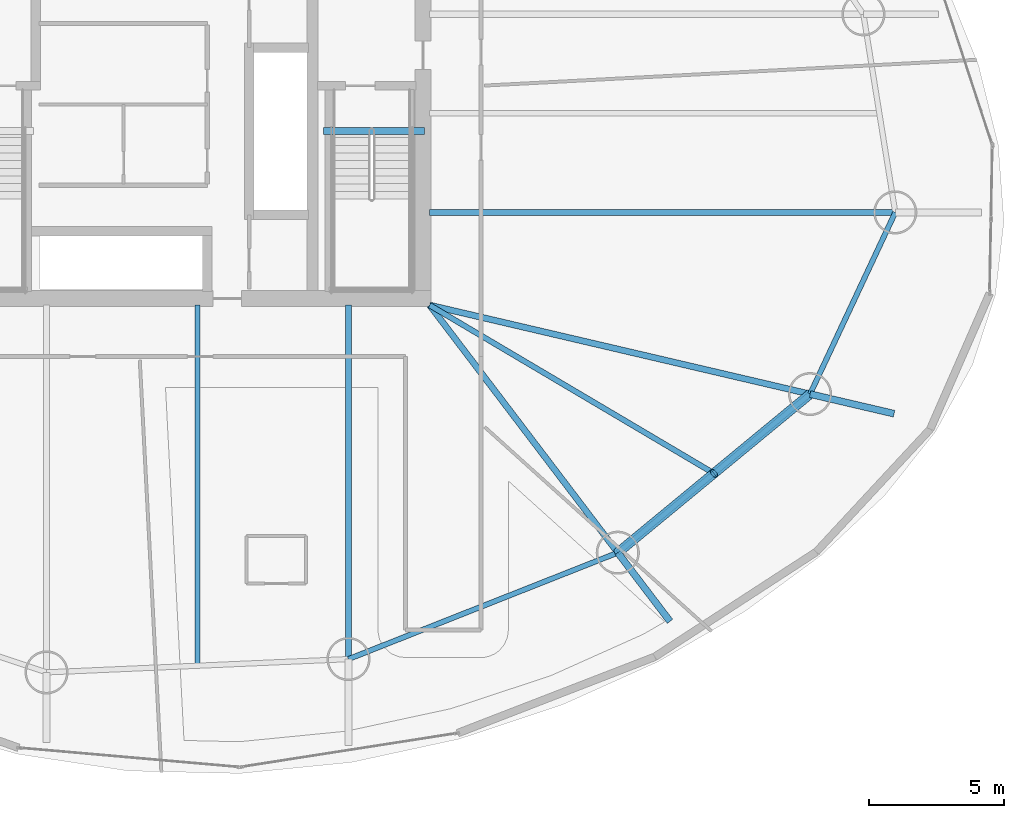
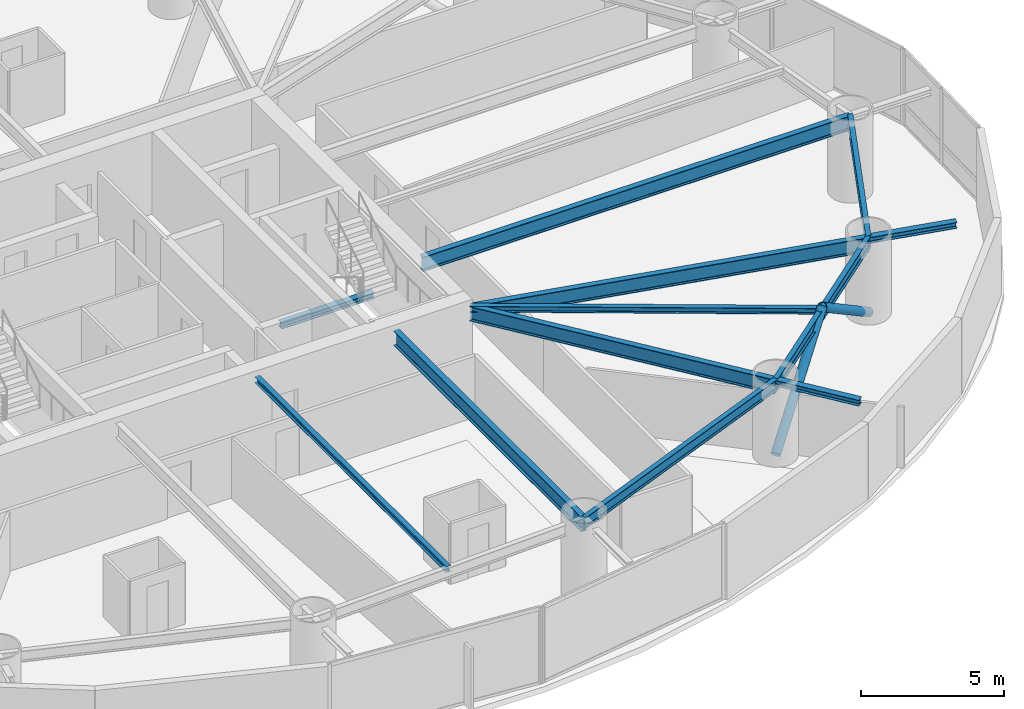
# One storey, part 9 of 24: 12 beams, 2 members.
"""IFC4 building model written with IfcOpenShell, lengths in metres."""

from ifc_helpers import new_model, si_unit, direction, frame, origin, origin_2d, place, context, subcontext, project, spatial, hollow_circle, i_section, extrude, material, material_profile, profile_set, type_object, element, save


model = new_model("IFC4")

# Units and contexts
model_context = context("Model", 3, precision=1e-05, world=origin(), true_north=direction((0.0, 1.0)))
body_context = subcontext(model_context, "Body", "Model", "MODEL_VIEW")
ifc_project = project(units=[si_unit("LENGTHUNIT", "METRE"), si_unit("AREAUNIT", "SQUARE_METRE"), si_unit("VOLUMEUNIT", "CUBIC_METRE"), si_unit("PLANEANGLEUNIT", "RADIAN"), si_unit("MASSUNIT", "GRAM", prefix="KILO")], contexts=[model_context])

# Site, building, storey
site_placement = place(None, origin())
site = spatial("IfcSite", under=ifc_project, at=site_placement, CompositionType="ELEMENT")
building_placement = place(site_placement, origin())
building = spatial("IfcBuilding", under=site, at=building_placement, Name="Bramvorn Convention Spire", CompositionType="ELEMENT")
storey_placement = place(building_placement, frame((0.0, 0.0, 83.39990234375)))
storey = spatial("IfcBuildingStorey", under=building, at=storey_placement, Name="L19", CompositionType="ELEMENT", Elevation=83.39990234375)

# Beams
ifc_material = material(Name="Steel CSA G40.21 Grade 350 (350W)", Category="steel")
ifc_material_profile_1 = material_profile(ifc_material, i_section(OverallWidth=0.201904296875, OverallDepth=0.2470703125, WebThickness=0.00732421875, FlangeThickness=0.010986328125, FilletRadius=0.011962890625, at=origin_2d()))
ifc_profile_set_1 = profile_set([ifc_material_profile_1], Name="Steel CSA G40.21 Grade 350 (350W) - W250X49")
beam_type_1 = type_object("IfcBeamType", Name="BM-W250X49", PredefinedType="JOIST", material=ifc_profile_set_1)
beam_1_placement = place(storey_placement, frame((40.638427734375, 18.550048828125, 3.126708984375), z_axis=(0.0, -1.0, 0.0), x_axis=(1.0, 0.0, 0.0)))
element("IfcBeam", 1, at=beam_1_placement, inside=storey, type_object=beam_type_1, Name="L19 composite floor joist 13", PredefinedType="JOIST", context=body_context, shape_type="SweptSolid", body=[
    extrude(i_section(OverallWidth=0.201904296875, OverallDepth=0.2470703125, WebThickness=0.00732421875, FlangeThickness=0.010986328125, FilletRadius=0.011962890625, at=origin_2d()), origin(), (0.0, 0.0, 1.0), 13.372802734375),
])
beam_2_placement = place(storey_placement, frame((49.25, 18.550048828125, 3.126708984375), z_axis=(0.860664556648, -0.509172388223, 0.0), x_axis=(0.509172388223, 0.860664556648, 0.0)))
element("IfcBeam", 2, at=beam_2_placement, inside=storey, type_object=beam_type_1, Name="L19 composite floor joist 15", PredefinedType="JOIST", context=body_context, shape_type="SweptSolid", body=[
    extrude(i_section(OverallWidth=0.201904296875, OverallDepth=0.2470703125, WebThickness=0.00732421875, FlangeThickness=0.010986328125, FilletRadius=0.011962890625, at=origin_2d()), origin(), (0.0, 0.0, 1.0), 12.25048828125),
])
ifc_material_profile_2 = material_profile(ifc_material, i_section(OverallWidth=0.25390625, OverallDepth=0.2529296875, WebThickness=0.008544921875, FlangeThickness=0.01416015625, FilletRadius=0.011962890625, at=origin_2d()))
ifc_profile_set_2 = profile_set([ifc_material_profile_2], Name="Steel CSA G40.21 Grade 350 (350W) - W250X73")
beam_type_2 = type_object("IfcBeamType", Name="BM-W250X73", PredefinedType="BEAM", material=ifc_profile_set_2)
beam_3_placement = place(storey_placement, frame((56.227783203125, 9.371337890625, 3.12353515625), z_axis=(0.605150969009, -0.796110736461, 0.0), x_axis=(0.796110736461, 0.605150969009, 0.0)))
element("IfcBeam", 3, at=beam_3_placement, inside=storey, type_object=beam_type_2, Name="L19 slab-edge cantilever tip beam MC15", PredefinedType="BEAM", context=body_context, shape_type="SweptSolid", body=[
    extrude(i_section(OverallWidth=0.25390625, OverallDepth=0.2529296875, WebThickness=0.008544921875, FlangeThickness=0.01416015625, FilletRadius=0.011962890625, at=origin_2d()), origin(), (0.0, 0.0, 1.0), 3.199951171875),
])
beam_4_placement = place(storey_placement, frame((63.35888671875, 15.253662109375, 3.12353515625), z_axis=(0.973778145797, -0.227499720367, 0.0), x_axis=(0.227499720367, 0.973778145797, 0.0)))
element("IfcBeam", 4, at=beam_4_placement, inside=storey, type_object=beam_type_2, Name="L19 slab-edge cantilever tip beam MC16", PredefinedType="BEAM", context=body_context, shape_type="SweptSolid", body=[
    extrude(i_section(OverallWidth=0.25390625, OverallDepth=0.2529296875, WebThickness=0.008544921875, FlangeThickness=0.01416015625, FilletRadius=0.011962890625, at=origin_2d()), origin(), (0.0, 0.0, 1.0), 3.2001953125),
])
beam_5_placement = place(storey_placement, frame((45.31005859375, 25.010009765625, -0.12646484375), z_axis=(1.0, 0.0, 0.0), x_axis=(0.0, 1.0, 0.0)))
element("IfcBeam", 5, at=beam_5_placement, inside=storey, type_object=beam_type_2, Name="L19 ST2 stair arrival header beam", PredefinedType="BEAM", context=body_context, shape_type="SweptSolid", body=[
    extrude(i_section(OverallWidth=0.25390625, OverallDepth=0.2529296875, WebThickness=0.008544921875, FlangeThickness=0.01416015625, FilletRadius=0.011962890625, at=origin_2d()), origin(), (0.0, 0.0, 1.0), 3.739990234375),
])
ifc_material_profile_3 = material_profile(ifc_material, i_section(OverallWidth=0.194091796875, OverallDepth=0.468994140625, WebThickness=0.0126953125, FlangeThickness=0.0205078125, FilletRadius=0.01806640625, at=origin_2d()))
ifc_profile_set_3 = profile_set([ifc_material_profile_3], Name="Steel CSA G40.21 Grade 350 (350W) - W460X106")
beam_type_3 = type_object("IfcBeamType", Name="BM-W460X106", PredefinedType="SPANDREL", material=ifc_profile_set_3)
beam_6_placement = place(storey_placement, frame((46.23779296875, 5.42333984375, 3.015625), z_axis=(0.93000950609, 0.367535465749, 0.0), x_axis=(-0.367535465749, 0.93000950609, 0.0)))
element("IfcBeam", 6, at=beam_6_placement, inside=storey, type_object=beam_type_3, Name="L19 mega-column ring beam 14", PredefinedType="SPANDREL", context=body_context, shape_type="SweptSolid", body=[
    extrude(i_section(OverallWidth=0.194091796875, OverallDepth=0.468994140625, WebThickness=0.0126953125, FlangeThickness=0.0205078125, FilletRadius=0.01806640625, at=origin_2d()), origin(), (0.0, 0.0, 1.0), 10.74169921875),
])
beam_7_placement = place(storey_placement, frame((56.227783203125, 9.371337890625, 3.015625), z_axis=(0.771417680101, 0.636329130896, 0.0), x_axis=(-0.636329130896, 0.771417680101, 0.0)))
element("IfcBeam", 7, at=beam_7_placement, inside=storey, type_object=beam_type_3, Name="L19 mega-column ring beam 15", PredefinedType="SPANDREL", context=body_context, shape_type="SweptSolid", body=[
    extrude(i_section(OverallWidth=0.194091796875, OverallDepth=0.468994140625, WebThickness=0.0126953125, FlangeThickness=0.0205078125, FilletRadius=0.01806640625, at=origin_2d()), origin(), (0.0, 0.0, 1.0), 9.244140625),
])
beam_8_placement = place(storey_placement, frame((63.35888671875, 15.253662109375, 3.015625), z_axis=(0.424701955478, 0.9053332254, 0.0), x_axis=(-0.9053332254, 0.424701955478, 0.0)))
element("IfcBeam", 8, at=beam_8_placement, inside=storey, type_object=beam_type_3, Name="L19 mega-column ring beam 16", PredefinedType="SPANDREL", context=body_context, shape_type="SweptSolid", body=[
    extrude(i_section(OverallWidth=0.194091796875, OverallDepth=0.468994140625, WebThickness=0.0126953125, FlangeThickness=0.0205078125, FilletRadius=0.01806640625, at=origin_2d()), origin(), (0.0, 0.0, 1.0), 7.442626953125),
])
ifc_material_profile_4 = material_profile(ifc_material, i_section(OverallWidth=0.22998046875, OverallDepth=0.616943359375, WebThickness=0.01318359375, FlangeThickness=0.022216796875, FilletRadius=0.02001953125, at=origin_2d()))
ifc_profile_set_4 = profile_set([ifc_material_profile_4], Name="Steel CSA G40.21 Grade 350 (350W) - W610X140")
beam_type_4 = type_object("IfcBeamType", Name="BM-W610X140", PredefinedType="BEAM", material=ifc_profile_set_4)
beam_9_placement = place(storey_placement, frame((49.25, 21.99169921875, 2.941650390625), z_axis=(1.0, 0.0, 0.0), x_axis=(0.0, 1.0, 0.0)))
element("IfcBeam", 9, at=beam_9_placement, inside=storey, type_object=beam_type_4, Name="L19 radial floor girder MC01", PredefinedType="BEAM", context=body_context, shape_type="SweptSolid", body=[
    extrude(i_section(OverallWidth=0.22998046875, OverallDepth=0.616943359375, WebThickness=0.01318359375, FlangeThickness=0.022216796875, FilletRadius=0.02001953125, at=origin_2d()), origin(), (0.0, 0.0, 1.0), 17.269775390625),
])
beam_10_placement = place(storey_placement, frame((46.23779296875, 18.550048828125, 2.941650390625), z_axis=(0.0, -1.0, 0.0), x_axis=(1.0, 0.0, 0.0)))
element("IfcBeam", 10, at=beam_10_placement, inside=storey, type_object=beam_type_4, Name="L19 radial floor girder MC14", PredefinedType="BEAM", context=body_context, shape_type="SweptSolid", body=[
    extrude(i_section(OverallWidth=0.22998046875, OverallDepth=0.616943359375, WebThickness=0.01318359375, FlangeThickness=0.022216796875, FilletRadius=0.02001953125, at=origin_2d()), origin(), (0.0, 0.0, 1.0), 13.126708984375),
])
beam_11_placement = place(storey_placement, frame((49.25, 18.550048828125, 2.941650390625), z_axis=(0.605191175112, -0.796080172826, 0.0), x_axis=(0.796080172826, 0.605191175112, 0.0)))
element("IfcBeam", 11, at=beam_11_placement, inside=storey, type_object=beam_type_4, Name="L19 radial floor girder MC15", PredefinedType="BEAM", context=body_context, shape_type="SweptSolid", body=[
    extrude(i_section(OverallWidth=0.22998046875, OverallDepth=0.616943359375, WebThickness=0.01318359375, FlangeThickness=0.022216796875, FilletRadius=0.02001953125, at=origin_2d()), origin(), (0.0, 0.0, 1.0), 11.52978515625),
])
beam_12_placement = place(storey_placement, frame((49.25, 18.550048828125, 2.941650390625), z_axis=(0.973775294862, -0.227511923018, 0.0), x_axis=(0.227511923018, 0.973775294862, 0.0)))
element("IfcBeam", 12, at=beam_12_placement, inside=storey, type_object=beam_type_4, Name="L19 radial floor girder MC16", PredefinedType="BEAM", context=body_context, shape_type="SweptSolid", body=[
    extrude(i_section(OverallWidth=0.22998046875, OverallDepth=0.616943359375, WebThickness=0.01318359375, FlangeThickness=0.022216796875, FilletRadius=0.02001953125, at=origin_2d()), origin(), (0.0, 0.0, 1.0), 14.48876953125),
])

# Members
ifc_material_profile_5 = material_profile(ifc_material, hollow_circle(Radius=0.177734375, WallThickness=0.015869140625, at=origin_2d()))
ifc_profile_set_5 = profile_set([ifc_material_profile_5], Name="Steel CSA G40.21 Grade 350 (350W) - CHS356X16")
member_type = type_object("IfcMemberType", Name="MBR-CHS356X16", PredefinedType="BRACE", material=ifc_profile_set_5)
member_1_placement = place(storey_placement, frame((56.227783203125, 9.371337890625, 0.0), z_axis=(0.631048588012, 0.520523268728, 0.575181020446), x_axis=(-0.636316166913, 0.771428373684, 0.0)))
element("IfcMember", 13, at=member_1_placement, inside=storey, type_object=member_type, Name="L19 perimeter Gothic lancet brace 15A", PredefinedType="BRACE", context=body_context, shape_type="SweptSolid", body=[
    extrude(hollow_circle(Radius=0.177734375, WallThickness=0.015869140625, at=origin_2d()), origin(), (0.0, 0.0, 1.0), 5.650390625),
])
member_2_placement = place(storey_placement, frame((63.35888671875, 15.253662109375, 0.0), z_axis=(-0.631022585513, -0.520537461495, 0.57519670353), x_axis=(0.636342095228, -0.771406985865, 0.0)))
element("IfcMember", 14, at=member_2_placement, inside=storey, type_object=member_type, Name="L19 perimeter Gothic lancet brace 15B", PredefinedType="BRACE", context=body_context, shape_type="SweptSolid", body=[
    extrude(hollow_circle(Radius=0.177734375, WallThickness=0.015869140625, at=origin_2d()), origin(), (0.0, 0.0, 1.0), 5.650146484375),
])

save(model, "model.ifc")
